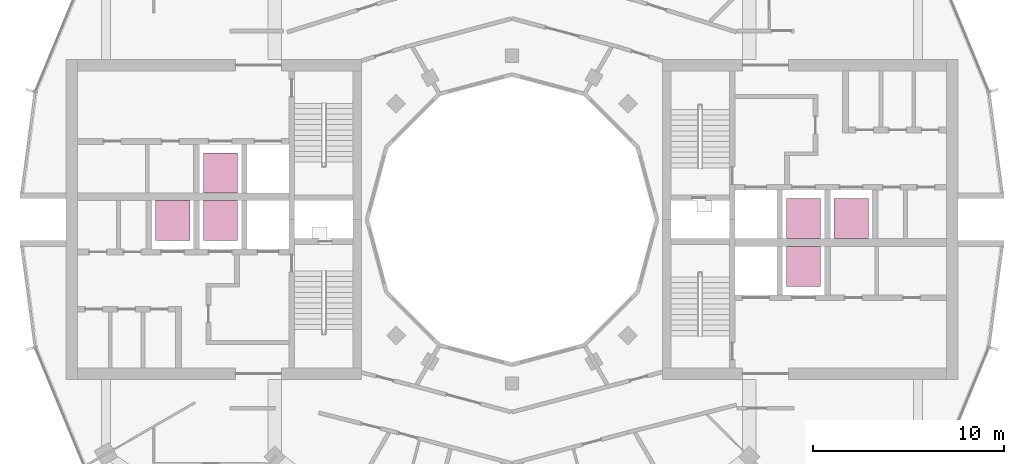
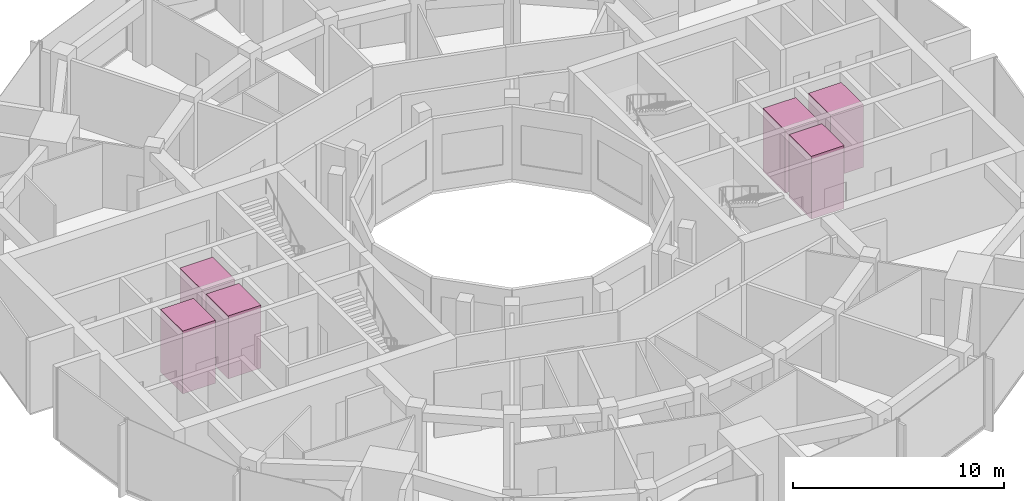
# One storey, part 15 of 15: 6 transport elements.
"""IFC4 building model written with IfcOpenShell, lengths in metres."""

import ifcopenshell
import ifcopenshell.guid

model = None  # the IFC model being written
_history = None  # IfcOwnerHistory: only IFC2X3 demands one
_inside = {}  # id of a spatial element -> (the spatial element, [elements in it])
_under = {}  # id of a project, library or spatial element -> (it, [spatial elements below it])
_declared = {}  # id of a project -> (the project, [libraries it declares])
_typed = {}  # id of a type object -> (the type object, [elements of that type])
_made_of = {}  # id of a material, layer set ... -> (it, [elements and type objects made of it])


def new_model(schema):
    """Start an empty IFC model of exactly this schema.

    Asked for "IFC4X3", IfcOpenShell would pick the latest addendum, in which some entities
    have other attributes; the version numbers below select the first issue.
    IFC2X3 requires an IfcOwnerHistory on every rooted entity: one is made here for all.
    """
    global model, _history
    if schema == "IFC4X3":
        model = ifcopenshell.file(schema_version=(4, 3, 0, 0))
    else:
        model = ifcopenshell.file(schema=schema)
    _inside.clear()
    _under.clear()
    _declared.clear()
    _typed.clear()
    _made_of.clear()
    _history = None
    if model.schema == "IFC2X3":
        org = make("IfcOrganization", Name="unknown")
        user = make(
            "IfcPersonAndOrganization",
            ThePerson=make("IfcPerson", FamilyName="unknown"),
            TheOrganization=org,
        )
        app = make(
            "IfcApplication",
            ApplicationDeveloper=org,
            Version="unknown",
            ApplicationFullName="unknown",
            ApplicationIdentifier="unknown",
        )
        _history = make(
            "IfcOwnerHistory",
            OwningUser=user,
            OwningApplication=app,
            ChangeAction="ADDED",
            CreationDate=0,
        )
    return model


def make(cls, **values):
    """One entity of the class cls with the attributes given. An attribute that is None is left unset."""
    return model.create_entity(
        cls, **{name: value for name, value in values.items() if value is not None}
    )


def rooted(cls, **values):
    """An entity with a GlobalId (a new one), such as an element, a storey or a relation."""
    return make(cls, GlobalId=ifcopenshell.guid.new(), OwnerHistory=_history, **values)


def si_unit(unit_type, name, prefix=None):
    """IfcSIUnit, for example si_unit("LENGTHUNIT", "METRE", prefix="MILLI")."""
    return make("IfcSIUnit", UnitType=unit_type, Prefix=prefix, Name=name)


def assignment(units):
    """IfcUnitAssignment: the units of a project."""
    return None if units is None else make("IfcUnitAssignment", Units=units)


def point(xyz):
    """IfcCartesianPoint."""
    return None if xyz is None else make("IfcCartesianPoint", Coordinates=xyz)


def direction(xyz):
    """IfcDirection."""
    return None if xyz is None else make("IfcDirection", DirectionRatios=xyz)


def frame(location, z_axis=None, x_axis=None):
    """IfcAxis2Placement3D, a coordinate frame: its origin and axes. An axis left out is left unset."""
    return make(
        "IfcAxis2Placement3D",
        Location=point(location),
        Axis=direction(z_axis),
        RefDirection=direction(x_axis),
    )


def frame_2d(location, x_axis=None):
    """IfcAxis2Placement2D, a coordinate frame in the plane: its origin and x axis."""
    return make(
        "IfcAxis2Placement2D", Location=point(location), RefDirection=direction(x_axis)
    )


def origin():
    """The frame at (0, 0, 0) with its axes left unset."""
    return frame((0.0, 0.0, 0.0))


def origin_2d():
    """The frame at (0, 0) in the plane with its x axis left unset."""
    return frame_2d((0.0, 0.0))


def place(relative_to, where):
    """IfcLocalPlacement: puts the frame where relative to a parent placement (None: the world)."""
    return make(
        "IfcLocalPlacement", PlacementRelTo=relative_to, RelativePlacement=where
    )


def context(
    kind, dimensions, precision=None, world=None, true_north=None, identifier=None
):
    """IfcGeometricRepresentationContext, for example the 3D "Model" context."""
    return make(
        "IfcGeometricRepresentationContext",
        ContextIdentifier=identifier,
        ContextType=kind,
        CoordinateSpaceDimension=dimensions,
        Precision=precision,
        WorldCoordinateSystem=world,
        TrueNorth=true_north,
    )


def subcontext(parent, identifier, kind, view, scale=None):
    """IfcGeometricRepresentationSubContext, for example "Body" below "Model"."""
    return make(
        "IfcGeometricRepresentationSubContext",
        ContextIdentifier=identifier,
        ContextType=kind,
        ParentContext=parent,
        TargetScale=scale,
        TargetView=view,
    )


def project(units=None, contexts=None):
    """IfcProject with its units and contexts."""
    return rooted(
        "IfcProject",
        Name="project",
        RepresentationContexts=contexts,
        UnitsInContext=assignment(units),
    )


def spatial(cls, under=None, at=None, **own):
    """A site, building, storey or space (cls), placed at a placement, below another one or the project."""
    s = rooted(cls, ObjectPlacement=at, **own)
    if under is not None:
        _under.setdefault(under.id(), (under, []))[1].append(s)
    return s


def profile(cls, at=None, kind="AREA", **sizes):
    """A parametric profile (cls). Its sizes go by their IFC names, for example OverallWidth=200.0."""
    return make(cls, ProfileType=kind, Position=at, **sizes)


def rectangle(**sizes):
    """IfcRectangleProfileDef."""
    return profile("IfcRectangleProfileDef", **sizes)


def extrude(swept, where, along, depth):
    """IfcExtrudedAreaSolid: the profile swept, set in the frame where, extruded along a direction by depth."""
    return make(
        "IfcExtrudedAreaSolid",
        SweptArea=swept,
        Position=where,
        ExtrudedDirection=direction(along),
        Depth=depth,
    )


def shape(context_of_items, identifier, shape_type, items):
    """IfcShapeRepresentation: the items that make up one representation, for example the "Body"."""
    return make(
        "IfcShapeRepresentation",
        ContextOfItems=context_of_items,
        RepresentationIdentifier=identifier,
        RepresentationType=shape_type,
        Items=items,
    )


def material(Name=None, Category=None):
    """IfcMaterial."""
    return make("IfcMaterial", Name=Name, Category=Category)


def made_of(thing, what):
    """Note that an element or type object is made of a material, layer set ...; save() writes the relation."""
    if what is not None:
        _made_of.setdefault(what.id(), (what, []))[1].append(thing)
    return thing


def type_object(cls, material=None, **own):
    """A type object (cls), such as IfcWallType, which elements share."""
    return made_of(rooted(cls, **own), material)


def element(
    cls,
    number,
    at=None,
    inside=None,
    cuts=None,
    type_object=None,
    material=None,
    context=None,
    identifier="Body",
    shape_type=None,
    held_by="IfcProductDefinitionShape",
    body=None,
    shapes=None,
    **own,
):
    """One element of the class cls, such as IfcWall. Its Tag is "e" and its number.

    at: its placement. inside: the storey or other place that contains it. cuts: it is an
    opening in that element (IfcRelVoidsElement). A single representation is given by context,
    identifier, shape_type and body (its items); several are given by shapes. held_by: the class
    of the entity that holds the representations. save() writes the other relations.
    """
    e = rooted(cls, Tag="e%d" % number, ObjectPlacement=at, **own)
    if body is not None:
        shapes = [shape(context, identifier, shape_type, body)]
    if shapes is not None:
        e.Representation = make(held_by, Representations=shapes)
    if inside is not None:
        _inside.setdefault(inside.id(), (inside, []))[1].append(e)
    if cuts is not None:
        rooted(
            "IfcRelVoidsElement", RelatingBuildingElement=cuts, RelatedOpeningElement=e
        )
    if type_object is not None:
        _typed.setdefault(type_object.id(), (type_object, []))[1].append(e)
    return made_of(e, material)


def aggregate(whole, parts):
    """IfcRelAggregates: a whole, such as a stair, and the parts it consists of."""
    return rooted("IfcRelAggregates", RelatingObject=whole, RelatedObjects=parts)


def save(model, path):
    """Write the relations noted so far, then the file.

    IfcRelAggregates (storeys below a building ...), IfcRelContainedInSpatialStructure (elements
    in a storey), IfcRelDefinesByType, IfcRelAssociatesMaterial and IfcRelDeclares: one each for
    every whole, place, type object, material and project.
    """
    for whole, parts in _under.values():
        aggregate(whole, parts)
    for where, things in _inside.values():
        rooted(
            "IfcRelContainedInSpatialStructure",
            RelatedElements=things,
            RelatingStructure=where,
        )
    for kind, things in _typed.values():
        rooted("IfcRelDefinesByType", RelatedObjects=things, RelatingType=kind)
    for what, things in _made_of.values():
        rooted("IfcRelAssociatesMaterial", RelatedObjects=things, RelatingMaterial=what)
    for by, libraries in _declared.values():
        rooted("IfcRelDeclares", RelatingContext=by, RelatedDefinitions=libraries)
    model.write(path)


model = new_model("IFC4")

# Units and contexts
model_context = context("Model", 3, precision=1e-05, world=origin(), true_north=direction((0.0, 1.0)))
body_context = subcontext(model_context, "Body", "Model", "MODEL_VIEW")
ifc_project = project(units=[si_unit("LENGTHUNIT", "METRE"), si_unit("AREAUNIT", "SQUARE_METRE"), si_unit("VOLUMEUNIT", "CUBIC_METRE"), si_unit("PLANEANGLEUNIT", "RADIAN"), si_unit("MASSUNIT", "GRAM", prefix="KILO")], contexts=[model_context])

# Site, building, storey
site_placement = place(None, origin())
site = spatial("IfcSite", under=ifc_project, at=site_placement, CompositionType="ELEMENT")
building_placement = place(site_placement, origin())
building = spatial("IfcBuilding", under=site, at=building_placement, Name="Torre Brocal", CompositionType="ELEMENT")
storey_placement = place(building_placement, frame((0.0, 0.0, 216.699951171875)))
storey = spatial("IfcBuildingStorey", under=building, at=storey_placement, Name="L50", CompositionType="ELEMENT", Elevation=216.699951171875)

# Transport elements
ifc_material = material(Name="Stainless steel AISI 316", Category="steel")
transport_element_type = type_object("IfcTransportElementType", Name="PASSENGER LIFT", PredefinedType="ELEVATOR", material=ifc_material)
for number, where, z_axis, x_axis, name in (
    (1, (95.300048828125, 75.050048828125, 0.0), (0.0, 0.0, 1.0), (1.0, 0.0, 0.0), "HIGH RISE LIFT E-HR1"),
    (2, (95.300048828125, 72.550048828125, 0.0), (0.0, 0.0, 1.0), (1.0, 0.0, 0.0), "HIGH RISE LIFT E-HR2"),
    (3, (97.800048828125, 75.050048828125, 0.0), (0.0, 0.0, 1.0), (1.0, 0.0, 0.0), "HIGH RISE LIFT E-HR3"),
    (4, (64.699951171875, 74.949951171875, 0.0), (0.0, 0.0, 1.0), (1.0, 0.0, 0.0), "HIGH RISE LIFT W-HR1"),
    (5, (64.699951171875, 77.449951171875, 0.0), (0.0, 0.0, 1.0), (1.0, 0.0, 0.0), "HIGH RISE LIFT W-HR2"),
    (6, (62.199951171875, 74.949951171875, 0.0), (0.0, 0.0, 1.0), (1.0, 0.0, 0.0), "HIGH RISE LIFT W-HR3"),
):
    element("IfcTransportElement", number, at=place(storey_placement, frame(where, z_axis=z_axis, x_axis=x_axis)), inside=storey, type_object=transport_element_type, Name=name, PredefinedType="ELEVATOR", context=body_context, shape_type="SweptSolid", body=[
        extrude(rectangle(XDim=1.800048828125, YDim=2.10009765625, at=origin_2d()), origin(), (0.0, 0.0, 1.0), 3.64990234375),
    ])

save(model, "model.ifc")
